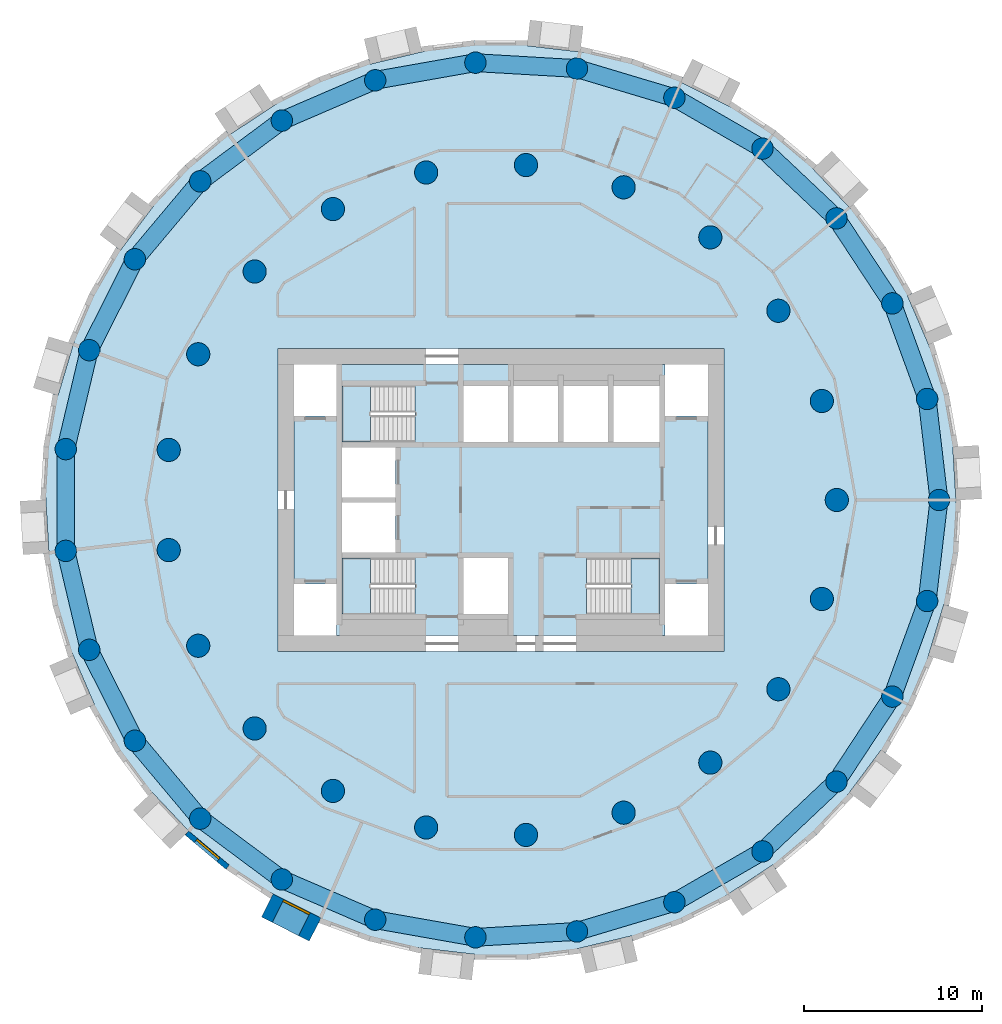
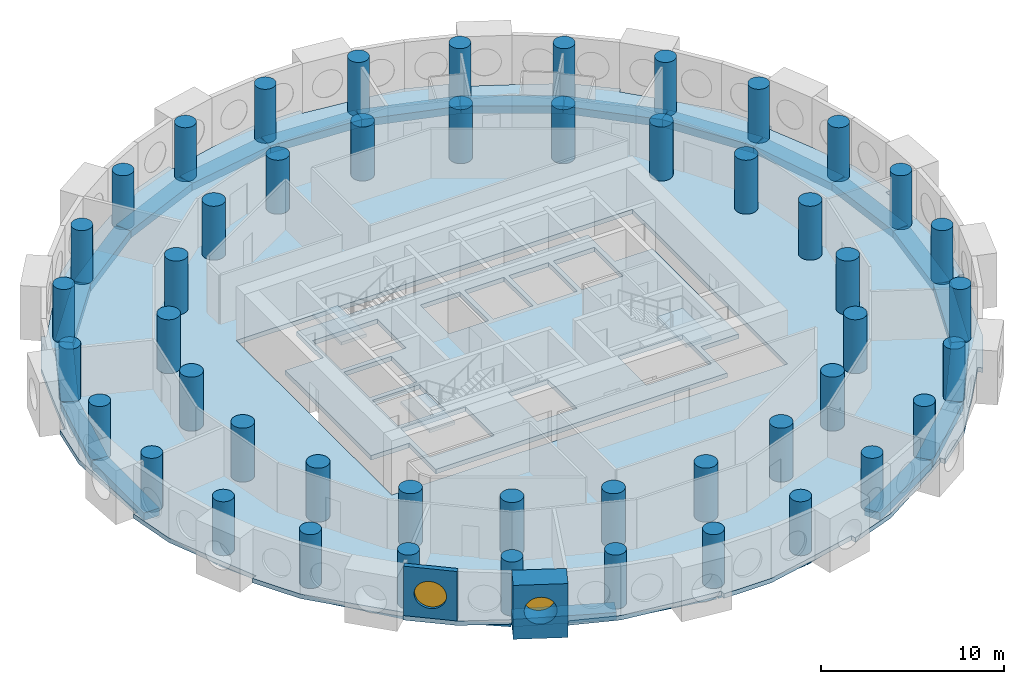
# One storey, part 1 of 9: 48 columns, 27 beams, 5 slabs, 2 walls, 2 windows, 2 openings, 3 elements without a shape of their own.
"""IFC4 building model written with IfcOpenShell, lengths in metres."""

from ifc_helpers import new_model, si_unit, direction, frame, frame_2d, origin, origin_2d, place, context, subcontext, project, spatial, polyline, rectangle, circle, outline, extrude, material, layer, layer_set, material_profile, profile_set, type_object, element, fill, aggregate, save


model = new_model("IFC4")

# Units and contexts
model_context = context("Model", 3, precision=1e-05, world=origin(), true_north=direction((0.0, 1.0)))
body_context = subcontext(model_context, "Body", "Model", "MODEL_VIEW")
ifc_project = project(units=[si_unit("LENGTHUNIT", "METRE"), si_unit("AREAUNIT", "SQUARE_METRE"), si_unit("VOLUMEUNIT", "CUBIC_METRE"), si_unit("PLANEANGLEUNIT", "RADIAN"), si_unit("MASSUNIT", "GRAM", prefix="KILO")], contexts=[model_context])

# Site, building, storey
site_placement = place(None, origin())
site = spatial("IfcSite", under=ifc_project, at=site_placement, CompositionType="ELEMENT")
building_placement = place(site_placement, origin())
building = spatial("IfcBuilding", under=site, at=building_placement, Name="Tracery Tower", CompositionType="ELEMENT")
storey_placement = place(building_placement, frame((0.0, 0.0, 147.60009765625)))
storey = spatial("IfcBuildingStorey", under=building, at=storey_placement, Name="L37", CompositionType="ELEMENT", Elevation=147.60009765625)

# Columns
ifc_material_1 = material(Name="Concrete C50/60", Category="concrete")
ifc_material_profile_1 = material_profile(ifc_material_1, circle(Radius=0.60009765625, at=origin_2d()), Name="RC D1200")
ifc_profile_set_1 = profile_set([ifc_material_profile_1], Name="Concrete C50/60")
column_type_1 = type_object("IfcColumnType", Name="Ring 1 column 1200", PredefinedType="COLUMN", material=ifc_profile_set_1)
for number, where, z_axis, x_axis, name in (
    (1, (24.547607421875, 0.0, 0.0), (0.0, 0.0, 1.0), (1.0, 0.0, 0.0), "Ring 1 column 00 at L37"),
    (2, (23.885986328125, 5.6611328125, 0.0), (0.0, 0.0, 1.0), (1.0, 0.0, 0.0), "Ring 1 column 01 at L37"),
    (3, (21.9365234375, 11.01708984375, 0.0), (0.0, 0.0, 1.0), (1.0, 0.0, 0.0), "Ring 1 column 02 at L37"),
    (4, (18.8046875, 15.779052734375, 0.0), (0.0, 0.0, 1.0), (1.0, 0.0, 0.0), "Ring 1 column 03 at L37"),
    (5, (14.658935546875, 19.690185546875, 0.0), (0.0, 0.0, 1.0), (1.0, 0.0, 0.0), "Ring 1 column 04 at L37"),
    (6, (9.722900390625, 22.5400390625, 0.0), (0.0, 0.0, 1.0), (1.0, 0.0, 0.0), "Ring 1 column 05 at L37"),
    (7, (4.2626953125, 24.1748046875, 0.0), (0.0, 0.0, 1.0), (1.0, 0.0, 0.0), "Ring 1 column 06 at L37"),
    (8, (-1.42724609375, 24.506103515625, 0.0), (0.0, 0.0, 1.0), (1.0, 0.0, 0.0), "Ring 1 column 07 at L37"),
    (9, (-7.040283203125, 23.516357421875, 0.0), (0.0, 0.0, 1.0), (1.0, 0.0, 0.0), "Ring 1 column 08 at L37"),
    (10, (-12.273681640625, 21.2587890625, 0.0), (0.0, 0.0, 1.0), (1.0, 0.0, 0.0), "Ring 1 column 09 at L37"),
    (11, (-16.845703125, 17.855224609375, 0.0), (0.0, 0.0, 1.0), (1.0, 0.0, 0.0), "Ring 1 column 10 at L37"),
    (12, (-20.50927734375, 13.4892578125, 0.0), (0.0, 0.0, 1.0), (1.0, 0.0, 0.0), "Ring 1 column 11 at L37"),
    (13, (-23.0673828125, 8.395751953125, 0.0), (0.0, 0.0, 1.0), (1.0, 0.0, 0.0), "Ring 1 column 12 at L37"),
    (14, (-24.381591796875, 2.849853515625, 0.0), (0.0, 0.0, 1.0), (1.0, 0.0, 0.0), "Ring 1 column 13 at L37"),
    (15, (-24.381591796875, -2.849853515625, 0.0), (0.0, 0.0, 1.0), (1.0, 0.0, 0.0), "Ring 1 column 14 at L37"),
    (16, (-23.0673828125, -8.395751953125, 0.0), (0.0, 0.0, 1.0), (1.0, 0.0, 0.0), "Ring 1 column 15 at L37"),
    (17, (-20.50927734375, -13.4892578125, 0.0), (0.0, 0.0, 1.0), (1.0, 0.0, 0.0), "Ring 1 column 16 at L37"),
    (18, (-16.845703125, -17.85546875, 0.0), (0.0, 0.0, 1.0), (1.0, 0.0, 0.0), "Ring 1 column 17 at L37"),
    (19, (-12.27392578125, -21.2587890625, 0.0), (0.0, 0.0, 1.0), (1.0, 0.0, 0.0), "Ring 1 column 18 at L37"),
    (20, (-7.040283203125, -23.516357421875, 0.0), (0.0, 0.0, 1.0), (1.0, 0.0, 0.0), "Ring 1 column 19 at L37"),
    (21, (-1.42724609375, -24.506103515625, 0.0), (0.0, 0.0, 1.0), (1.0, 0.0, 0.0), "Ring 1 column 20 at L37"),
    (22, (4.2626953125, -24.1748046875, 0.0), (0.0, 0.0, 1.0), (1.0, 0.0, 0.0), "Ring 1 column 21 at L37"),
    (23, (9.722900390625, -22.5400390625, 0.0), (0.0, 0.0, 1.0), (1.0, 0.0, 0.0), "Ring 1 column 22 at L37"),
    (24, (14.658935546875, -19.690185546875, 0.0), (0.0, 0.0, 1.0), (1.0, 0.0, 0.0), "Ring 1 column 23 at L37"),
    (25, (18.8046875, -15.779052734375, 0.0), (0.0, 0.0, 1.0), (1.0, 0.0, 0.0), "Ring 1 column 24 at L37"),
    (26, (21.9365234375, -11.01708984375, 0.0), (0.0, 0.0, 1.0), (1.0, 0.0, 0.0), "Ring 1 column 25 at L37"),
    (27, (23.885986328125, -5.6611328125, 0.0), (0.0, 0.0, 1.0), (1.0, 0.0, 0.0), "Ring 1 column 26 at L37"),
):
    element("IfcColumn", number, at=place(storey_placement, frame(where, z_axis=z_axis, x_axis=x_axis)), inside=storey, type_object=column_type_1, Name=name, PredefinedType="COLUMN", context=body_context, shape_type="SweptSolid", body=[
        extrude(circle(Radius=0.60009765625, at=origin_2d()), origin(), (0.0, 0.0, 1.0), 3.599853515625),
    ])
ifc_material_2 = material(Name="Concrete C50/60", Category="concrete")
ifc_material_profile_2 = material_profile(ifc_material_2, circle(Radius=0.64990234375, at=origin_2d()), Name="RC D1300")
ifc_profile_set_2 = profile_set([ifc_material_profile_2], Name="Concrete C50/60")
column_type_2 = type_object("IfcColumnType", Name="Ring 2 column 1300", PredefinedType="COLUMN", material=ifc_profile_set_2)
for number, where, z_axis, x_axis, name in (
    (28, (18.822265625, 0.0, 0.0), (0.0, 0.0, 1.0), (1.0, 0.0, 0.0), "Ring 2 column 00 at L37"),
    (29, (17.986083984375, 5.5478515625, 0.0), (0.0, 0.0, 1.0), (1.0, 0.0, 0.0), "Ring 2 column 01 at L37"),
    (30, (15.551513671875, 10.602783203125, 0.0), (0.0, 0.0, 1.0), (1.0, 0.0, 0.0), "Ring 2 column 02 at L37"),
    (31, (11.7353515625, 14.7158203125, 0.0), (0.0, 0.0, 1.0), (1.0, 0.0, 0.0), "Ring 2 column 03 at L37"),
    (32, (6.87646484375, 17.52099609375, 0.0), (0.0, 0.0, 1.0), (1.0, 0.0, 0.0), "Ring 2 column 04 at L37"),
    (33, (1.406494140625, 18.76953125, 0.0), (0.0, 0.0, 1.0), (1.0, 0.0, 0.0), "Ring 2 column 05 at L37"),
    (34, (-4.188232421875, 18.350341796875, 0.0), (0.0, 0.0, 1.0), (1.0, 0.0, 0.0), "Ring 2 column 06 at L37"),
    (35, (-9.4111328125, 16.300537109375, 0.0), (0.0, 0.0, 1.0), (1.0, 0.0, 0.0), "Ring 2 column 07 at L37"),
    (36, (-13.797607421875, 12.802490234375, 0.0), (0.0, 0.0, 1.0), (1.0, 0.0, 0.0), "Ring 2 column 08 at L37"),
    (37, (-16.958251953125, 8.16650390625, 0.0), (0.0, 0.0, 1.0), (1.0, 0.0, 0.0), "Ring 2 column 09 at L37"),
    (38, (-18.612060546875, 2.805419921875, 0.0), (0.0, 0.0, 1.0), (1.0, 0.0, 0.0), "Ring 2 column 10 at L37"),
    (39, (-18.612060546875, -2.805419921875, 0.0), (0.0, 0.0, 1.0), (1.0, 0.0, 0.0), "Ring 2 column 11 at L37"),
    (40, (-16.958251953125, -8.166748046875, 0.0), (0.0, 0.0, 1.0), (1.0, 0.0, 0.0), "Ring 2 column 12 at L37"),
    (41, (-13.797607421875, -12.80224609375, 0.0), (0.0, 0.0, 1.0), (1.0, 0.0, 0.0), "Ring 2 column 13 at L37"),
    (42, (-9.4111328125, -16.300537109375, 0.0), (0.0, 0.0, 1.0), (1.0, 0.0, 0.0), "Ring 2 column 14 at L37"),
    (43, (-4.188232421875, -18.350341796875, 0.0), (0.0, 0.0, 1.0), (1.0, 0.0, 0.0), "Ring 2 column 15 at L37"),
    (44, (1.406494140625, -18.76953125, 0.0), (0.0, 0.0, 1.0), (1.0, 0.0, 0.0), "Ring 2 column 16 at L37"),
    (45, (6.87646484375, -17.52099609375, 0.0), (0.0, 0.0, 1.0), (1.0, 0.0, 0.0), "Ring 2 column 17 at L37"),
    (46, (11.7353515625, -14.7158203125, 0.0), (0.0, 0.0, 1.0), (1.0, 0.0, 0.0), "Ring 2 column 18 at L37"),
    (47, (15.551513671875, -10.602783203125, 0.0), (0.0, 0.0, 1.0), (1.0, 0.0, 0.0), "Ring 2 column 19 at L37"),
    (48, (17.986083984375, -5.5478515625, 0.0), (0.0, 0.0, 1.0), (1.0, 0.0, 0.0), "Ring 2 column 20 at L37"),
):
    element("IfcColumn", number, at=place(storey_placement, frame(where, z_axis=z_axis, x_axis=x_axis)), inside=storey, type_object=column_type_2, Name=name, PredefinedType="COLUMN", context=body_context, shape_type="SweptSolid", body=[
        extrude(circle(Radius=0.64990234375, at=origin_2d()), origin(), (0.0, 0.0, 1.0), 3.599853515625),
    ])

# Beams
ifc_material_3 = material(Name="Concrete C50/60", Category="concrete")
ifc_material_profile_3 = material_profile(ifc_material_3, rectangle(XDim=1.0, YDim=0.5, at=origin_2d()), Name="RC 1000x500")
ifc_profile_set_3 = profile_set([ifc_material_profile_3], Name="Concrete C50/60")
beam_type = type_object("IfcBeamType", Name="Perimeter band beam 1000x500", PredefinedType="BEAM", material=ifc_profile_set_3)
for number, where, z_axis, x_axis, name in (
    (49, (24.547607421875, 0.0, -0.550048828125), (-0.116080723252, 0.993239782575, 0.0), (-0.993239782575, -0.116080723252, 0.0), "Perimeter beam 1.00 under L37"),
    (50, (23.885986328125, 5.6611328125, -0.550048828125), (-0.342028502279, 0.939689578334, 0.0), (-0.939689578334, -0.342028502279, 0.0), "Perimeter beam 1.01 under L37"),
):
    element("IfcBeam", number, at=place(storey_placement, frame(where, z_axis=z_axis, x_axis=x_axis)), inside=storey, type_object=beam_type, Name=name, PredefinedType="BEAM", context=body_context, shape_type="SweptSolid", body=[
        extrude(rectangle(XDim=1.0, YDim=0.5, at=origin_2d()), origin(), (0.0, 0.0, 1.0), 5.69970703125),
    ])
for number, where, z_axis, x_axis, name in (
    (51, (21.9365234375, 11.01708984375, -0.550048828125), (-0.549489832182, 0.835500403548, 0.0), (-0.835500403548, -0.549489832182, 0.0), "Perimeter beam 1.02 under L37"),
    (52, (18.8046875, 15.779052734375, -0.550048828125), (-0.727389618263, 0.686224703172, 0.0), (-0.686224703172, -0.727389618263, 0.0), "Perimeter beam 1.03 under L37"),
):
    element("IfcBeam", number, at=place(storey_placement, frame(where, z_axis=z_axis, x_axis=x_axis)), inside=storey, type_object=beam_type, Name=name, PredefinedType="BEAM", context=body_context, shape_type="SweptSolid", body=[
        extrude(rectangle(XDim=1.0, YDim=0.5, at=origin_2d()), origin(), (0.0, 0.0, 1.0), 5.699462890625),
    ])
for number, where, z_axis, x_axis, name in (
    (53, (14.658935546875, 19.690185546875, -0.550048828125), (-0.866022950691, 0.500004248858, 0.0), (-0.500004248858, -0.866022950691, 0.0), "Perimeter beam 1.04 under L37"),
    (54, (9.722900390625, 22.5400390625, -0.550048828125), (-0.957985292634, 0.28681732705, 0.0), (-0.28681732705, -0.957985292634, 0.0), "Perimeter beam 1.05 under L37"),
):
    element("IfcBeam", number, at=place(storey_placement, frame(where, z_axis=z_axis, x_axis=x_axis)), inside=storey, type_object=beam_type, Name=name, PredefinedType="BEAM", context=body_context, shape_type="SweptSolid", body=[
        extrude(rectangle(XDim=1.0, YDim=0.5, at=origin_2d()), origin(), (0.0, 0.0, 1.0), 5.69970703125),
    ])
beam_1_placement = place(storey_placement, frame((4.2626953125, 24.1748046875, -0.550048828125), z_axis=(-0.99830920221, 0.058126902403, 0.0), x_axis=(-0.058126902403, -0.99830920221, 0.0)))
element("IfcBeam", 55, at=beam_1_placement, inside=storey, type_object=beam_type, Name="Perimeter beam 1.06 under L37", PredefinedType="BEAM", context=body_context, shape_type="SweptSolid", body=[
    extrude(rectangle(XDim=1.0, YDim=0.5, at=origin_2d()), origin(), (0.0, 0.0, 1.0), 5.699462890625),
])
beam_2_placement = place(storey_placement, frame((-1.42724609375, 24.506103515625, -0.550048828125), z_axis=(-0.984807266719, -0.173650935552, 0.0), x_axis=(0.173650935552, -0.984807266719, 0.0)))
element("IfcBeam", 56, at=beam_2_placement, inside=storey, type_object=beam_type, Name="Perimeter beam 1.07 under L37", PredefinedType="BEAM", context=body_context, shape_type="SweptSolid", body=[
    extrude(rectangle(XDim=1.0, YDim=0.5, at=origin_2d()), origin(), (0.0, 0.0, 1.0), 5.69970703125),
])
beam_3_placement = place(storey_placement, frame((-7.040283203125, 23.516357421875, -0.550048828125), z_axis=(-0.918209685525, -0.396094652083, 0.0), x_axis=(0.396094652083, -0.918209685525, 0.0)))
element("IfcBeam", 57, at=beam_3_placement, inside=storey, type_object=beam_type, Name="Perimeter beam 1.08 under L37", PredefinedType="BEAM", context=body_context, shape_type="SweptSolid", body=[
    extrude(rectangle(XDim=1.0, YDim=0.5, at=origin_2d()), origin(), (0.0, 0.0, 1.0), 5.699462890625),
])
beam_4_placement = place(storey_placement, frame((-12.273681640625, 21.2587890625, -0.550048828125), z_axis=(-0.802138271299, -0.59713833717, 0.0), x_axis=(0.59713833717, -0.802138271299, 0.0)))
element("IfcBeam", 58, at=beam_4_placement, inside=storey, type_object=beam_type, Name="Perimeter beam 1.09 under L37", PredefinedType="BEAM", context=body_context, shape_type="SweptSolid", body=[
    extrude(rectangle(XDim=1.0, YDim=0.5, at=origin_2d()), origin(), (0.0, 0.0, 1.0), 5.69970703125),
])
beam_5_placement = place(storey_placement, frame((-16.845703125, 17.855224609375, -0.550048828125), z_axis=(-0.642797194343, -0.766036400535, 0.0), x_axis=(0.766036400535, -0.642797194343, 0.0)))
element("IfcBeam", 59, at=beam_5_placement, inside=storey, type_object=beam_type, Name="Perimeter beam 1.10 under L37", PredefinedType="BEAM", context=body_context, shape_type="SweptSolid", body=[
    extrude(rectangle(XDim=1.0, YDim=0.5, at=origin_2d()), origin(), (0.0, 0.0, 1.0), 5.699462890625),
])
beam_6_placement = place(storey_placement, frame((-20.50927734375, 13.4892578125, -0.550048828125), z_axis=(-0.448806280933, -0.893629074166, 0.0), x_axis=(0.893629074166, -0.448806280933, 0.0)))
element("IfcBeam", 60, at=beam_6_placement, inside=storey, type_object=beam_type, Name="Perimeter beam 1.11 under L37", PredefinedType="BEAM", context=body_context, shape_type="SweptSolid", body=[
    extrude(rectangle(XDim=1.0, YDim=0.5, at=origin_2d()), origin(), (0.0, 0.0, 1.0), 5.69970703125),
])
beam_7_placement = place(storey_placement, frame((-23.0673828125, 8.395751953125, -0.550048828125), z_axis=(-0.230583793756, -0.973052472407, 0.0), x_axis=(0.973052472407, -0.230583793756, 0.0)))
element("IfcBeam", 61, at=beam_7_placement, inside=storey, type_object=beam_type, Name="Perimeter beam 1.12 under L37", PredefinedType="BEAM", context=body_context, shape_type="SweptSolid", body=[
    extrude(rectangle(XDim=1.0, YDim=0.5, at=origin_2d()), origin(), (0.0, 0.0, 1.0), 5.699462890625),
])
beam_8_placement = place(storey_placement, frame((-24.381591796875, 2.849853515625, -0.550048828125), z_axis=(0.0, -1.0, 0.0), x_axis=(1.0, 0.0, 0.0)))
element("IfcBeam", 62, at=beam_8_placement, inside=storey, type_object=beam_type, Name="Perimeter beam 1.13 under L37", PredefinedType="BEAM", context=body_context, shape_type="SweptSolid", body=[
    extrude(rectangle(XDim=1.0, YDim=0.5, at=origin_2d()), origin(), (0.0, 0.0, 1.0), 5.69970703125),
])
beam_9_placement = place(storey_placement, frame((-24.381591796875, -2.849853515625, -0.550048828125), z_axis=(0.230583793756, -0.973052472407, 0.0), x_axis=(0.973052472407, 0.230583793756, 0.0)))
element("IfcBeam", 63, at=beam_9_placement, inside=storey, type_object=beam_type, Name="Perimeter beam 1.14 under L37", PredefinedType="BEAM", context=body_context, shape_type="SweptSolid", body=[
    extrude(rectangle(XDim=1.0, YDim=0.5, at=origin_2d()), origin(), (0.0, 0.0, 1.0), 5.699462890625),
])
for number, where, z_axis, x_axis, name in (
    (64, (-23.0673828125, -8.395751953125, -0.550048828125), (0.448806280933, -0.893629074166, 0.0), (0.893629074166, 0.448806280933, 0.0), "Perimeter beam 1.15 under L37"),
    (65, (-20.50927734375, -13.4892578125, -0.550048828125), (0.64277610208, -0.766054099, 0.0), (0.766054099, 0.64277610208, 0.0), "Perimeter beam 1.16 under L37"),
):
    element("IfcBeam", number, at=place(storey_placement, frame(where, z_axis=z_axis, x_axis=x_axis)), inside=storey, type_object=beam_type, Name=name, PredefinedType="BEAM", context=body_context, shape_type="SweptSolid", body=[
        extrude(rectangle(XDim=1.0, YDim=0.5, at=origin_2d()), origin(), (0.0, 0.0, 1.0), 5.69970703125),
    ])
beam_10_placement = place(storey_placement, frame((-16.845703125, -17.85546875, -0.550048828125), z_axis=(0.802143514942, -0.597131293298, 0.0), x_axis=(0.597131293298, 0.802143514942, 0.0)))
element("IfcBeam", 66, at=beam_10_placement, inside=storey, type_object=beam_type, Name="Perimeter beam 1.17 under L37", PredefinedType="BEAM", context=body_context, shape_type="SweptSolid", body=[
    extrude(rectangle(XDim=1.0, YDim=0.5, at=origin_2d()), origin(), (0.0, 0.0, 1.0), 5.699462890625),
])
for number, where, z_axis, x_axis, name in (
    (67, (-12.27392578125, -21.2587890625, -0.550048828125), (0.918216405543, -0.39607907366, 0.0), (0.39607907366, 0.918216405543, 0.0), "Perimeter beam 1.18 under L37"),
    (68, (-7.040283203125, -23.516357421875, -0.550048828125), (0.984807266719, -0.173650935552, 0.0), (0.173650935552, 0.984807266719, 0.0), "Perimeter beam 1.19 under L37"),
):
    element("IfcBeam", number, at=place(storey_placement, frame(where, z_axis=z_axis, x_axis=x_axis)), inside=storey, type_object=beam_type, Name=name, PredefinedType="BEAM", context=body_context, shape_type="SweptSolid", body=[
        extrude(rectangle(XDim=1.0, YDim=0.5, at=origin_2d()), origin(), (0.0, 0.0, 1.0), 5.69970703125),
    ])
beam_11_placement = place(storey_placement, frame((-1.42724609375, -24.506103515625, -0.550048828125), z_axis=(0.99830920221, 0.058126902403, 0.0), x_axis=(-0.058126902403, 0.99830920221, 0.0)))
element("IfcBeam", 69, at=beam_11_placement, inside=storey, type_object=beam_type, Name="Perimeter beam 1.20 under L37", PredefinedType="BEAM", context=body_context, shape_type="SweptSolid", body=[
    extrude(rectangle(XDim=1.0, YDim=0.5, at=origin_2d()), origin(), (0.0, 0.0, 1.0), 5.699462890625),
])
for number, where, z_axis, x_axis, name in (
    (70, (4.2626953125, -24.1748046875, -0.550048828125), (0.957985292634, 0.28681732705, 0.0), (-0.28681732705, 0.957985292634, 0.0), "Perimeter beam 1.21 under L37"),
    (71, (9.722900390625, -22.5400390625, -0.550048828125), (0.866022950691, 0.500004248858, 0.0), (-0.500004248858, 0.866022950691, 0.0), "Perimeter beam 1.22 under L37"),
):
    element("IfcBeam", number, at=place(storey_placement, frame(where, z_axis=z_axis, x_axis=x_axis)), inside=storey, type_object=beam_type, Name=name, PredefinedType="BEAM", context=body_context, shape_type="SweptSolid", body=[
        extrude(rectangle(XDim=1.0, YDim=0.5, at=origin_2d()), origin(), (0.0, 0.0, 1.0), 5.69970703125),
    ])
for number, where, z_axis, x_axis, name in (
    (72, (14.658935546875, -19.690185546875, -0.550048828125), (0.727389618263, 0.686224703172, 0.0), (-0.686224703172, 0.727389618263, 0.0), "Perimeter beam 1.23 under L37"),
    (73, (18.8046875, -15.779052734375, -0.550048828125), (0.549489832182, 0.835500403548, 0.0), (-0.835500403548, 0.549489832182, 0.0), "Perimeter beam 1.24 under L37"),
):
    element("IfcBeam", number, at=place(storey_placement, frame(where, z_axis=z_axis, x_axis=x_axis)), inside=storey, type_object=beam_type, Name=name, PredefinedType="BEAM", context=body_context, shape_type="SweptSolid", body=[
        extrude(rectangle(XDim=1.0, YDim=0.5, at=origin_2d()), origin(), (0.0, 0.0, 1.0), 5.699462890625),
    ])
for number, where, z_axis, x_axis, name in (
    (74, (21.9365234375, -11.01708984375, -0.550048828125), (0.342028502279, 0.939689578334, 0.0), (-0.939689578334, 0.342028502279, 0.0), "Perimeter beam 1.25 under L37"),
    (75, (23.885986328125, -5.6611328125, -0.550048828125), (0.116080723252, 0.993239782575, 0.0), (-0.993239782575, 0.116080723252, 0.0), "Perimeter beam 1.26 under L37"),
):
    element("IfcBeam", number, at=place(storey_placement, frame(where, z_axis=z_axis, x_axis=x_axis)), inside=storey, type_object=beam_type, Name=name, PredefinedType="BEAM", context=body_context, shape_type="SweptSolid", body=[
        extrude(rectangle(XDim=1.0, YDim=0.5, at=origin_2d()), origin(), (0.0, 0.0, 1.0), 5.69970703125),
    ])

# Slabs
ifc_material_4 = material(Name="Concrete C50/60", Category="concrete")
ifc_layer_1 = layer(ifc_material_4, 0.300048828125)
ifc_layer_set_1 = layer_set([ifc_layer_1], Name="Core floor slab 300 C50")
slab_type_1 = type_object("IfcSlabType", Name="Core floor slab 300 C50", PredefinedType="FLOOR", material=ifc_layer_set_1)
slab_1_placement = place(storey_placement, frame((0.0, 0.0, -0.300048828125)))
element("IfcSlab", 76, at=slab_1_placement, inside=storey, type_object=slab_type_1, Name="L37 core floor 1", PredefinedType="FLOOR", context=body_context, shape_type="SweptSolid", body=[
    extrude(outline(polyline([(-9.199951171875, 7.60009765625), (9.199951171875, 7.60009765625), (9.199951171875, 4.699951171875), (11.60009765625, 4.699951171875), (11.60009765625, -4.699951171875), (9.199951171875, -4.699951171875), (9.199951171875, -7.60009765625), (-9.199951171875, -7.60009765625), (-9.199951171875, -4.699951171875), (-11.60009765625, -4.699951171875), (-11.60009765625, 4.699951171875), (-9.199951171875, 4.699951171875), (-9.199951171875, 7.60009765625)]), holes=[polyline([(4.800537109375, -6.39990234375), (8.89990234375, -6.39990234375), (8.89990234375, -3.25), (4.800537109375, -3.25), (4.800537109375, -6.39990234375)]), polyline([(8.89990234375, 3.25), (8.89990234375, 6.39990234375), (6.300048828125, 6.39990234375), (6.300048828125, 3.25), (8.89990234375, 3.25)]), polyline([(6.0, 3.25), (6.0, 6.39990234375), (3.5, 6.39990234375), (3.5, 3.25), (6.0, 3.25)]), polyline([(3.199951171875, 3.25), (3.199951171875, 6.39990234375), (0.699951171875, 6.39990234375), (0.699951171875, 3.25), (3.199951171875, 3.25)]), polyline([(-2.10009765625, 3.25), (0.39990234375, 3.25), (0.39990234375, 6.39990234375), (-2.10009765625, 6.39990234375), (-2.10009765625, 3.25)]), polyline([(0.39990234375, -6.39990234375), (0.39990234375, -3.25), (-2.10009765625, -3.25), (-2.10009765625, -6.39990234375), (0.39990234375, -6.39990234375)]), polyline([(-4.800537109375, -3.25), (-8.89990234375, -3.25), (-8.89990234375, -6.39990234375), (-4.800537109375, -6.39990234375), (-4.800537109375, -3.25)]), polyline([(-4.800537109375, 6.39990234375), (-8.89990234375, 6.39990234375), (-8.89990234375, 3.25), (-4.800537109375, 3.25), (-4.800537109375, 6.39990234375)]), polyline([(-5.89990234375, -2.949951171875), (-5.89990234375, -0.14990234375), (-8.89990234375, -0.14990234375), (-8.89990234375, -2.949951171875), (-5.89990234375, -2.949951171875)]), polyline([(-5.89990234375, 0.14990234375), (-5.89990234375, 2.949951171875), (-8.89990234375, 2.949951171875), (-8.89990234375, 0.14990234375), (-5.89990234375, 0.14990234375)])]), origin(), (0.0, 0.0, 1.0), 0.300048828125),
])
ifc_material_5 = material(Name="Concrete C40/50", Category="concrete")
ifc_layer_2 = layer(ifc_material_5, 0.300048828125)
ifc_layer_set_2 = layer_set([ifc_layer_2], Name="Floor slab 300")
slab_type_2 = type_object("IfcSlabType", Name="Floor slab 300", PredefinedType="FLOOR", material=ifc_layer_set_2)
slab_2_placement = place(storey_placement, frame((0.0, 0.0, -0.300048828125)))
element("IfcSlab", 77, at=slab_2_placement, inside=storey, type_object=slab_type_2, Name="Floor slab L37", PredefinedType="FLOOR", context=body_context, shape_type="SweptSolid", body=[
    extrude(outline(polyline([(22.78515625, 11.443115234375), (22.7783203125, 11.459228515625), (23.0537109375, 11.577880859375), (21.5537109375, 14.176025390625), (19.533203125, 16.387939453125), (18.208740234375, 17.791748046875), (17.497314453125, 18.5458984375), (17.497314453125, 18.5458984375), (17.485107421875, 18.55859375), (17.70361328125, 18.7646484375), (15.4052734375, 20.69287109375), (12.74853515625, 22.081298828125), (10.098876953125, 23.411865234375), (10.098876953125, 23.411865234375), (10.083251953125, 23.419921875), (10.217529296875, 23.68701171875), (10.218017578125, 23.68798828125), (7.39892578125, 24.7138671875), (4.427490234375, 25.10986328125), (3.055908203125, 25.27001953125), (1.465087890625, 25.4560546875), (1.5, 25.75390625), (1.5, 25.754150390625), (-1.5, 25.754150390625), (-4.427490234375, 25.10986328125), (-7.312744140625, 24.426025390625), (-7.312744140625, 24.426025390625), (-7.32958984375, 24.422119140625), (-7.398681640625, 24.713134765625), (-7.39892578125, 24.7138671875), (-10.218017578125, 23.68798828125), (-12.74853515625, 22.081298828125), (-13.4443359375, 21.623779296875), (-15.240478515625, 20.4423828125), (-15.4052734375, 20.69287109375), (-15.4052734375, 20.69287109375), (-17.70361328125, 18.7646484375), (-19.531005859375, 16.390625), (-20.657958984375, 14.876953125), (-21.302490234375, 14.010986328125), (-21.302490234375, 14.010986328125), (-21.31298828125, 13.996826171875), (-21.5537109375, 14.176025390625), (-23.0537109375, 11.577880859375), (-23.95947265625, 8.720703125), (-24.694580078125, 6.265380859375), (-24.81494140625, 5.86328125), (-25.102294921875, 5.949462890625), (-25.623291015625, 2.994873046875), (-25.497314453125, 0.00048828125), (-25.32373046875, -2.9775390625), (-25.623291015625, -2.994873046875), (-25.102294921875, -5.949462890625), (-23.95947265625, -8.720703125), (-22.78515625, -11.443115234375), (-22.78515625, -11.443115234375), (-22.7783203125, -11.459228515625), (-23.0537109375, -11.577880859375), (-21.5537109375, -14.176025390625), (-19.533203125, -16.387939453125), (-18.208740234375, -17.791748046875), (-17.497314453125, -18.5458984375), (-17.497314453125, -18.5458984375), (-17.485107421875, -18.55859375), (-17.70361328125, -18.7646484375), (-15.4052734375, -20.69287109375), (-12.74853515625, -22.081298828125), (-10.098876953125, -23.411865234375), (-10.098876953125, -23.411865234375), (-10.083251953125, -23.419921875), (-10.217529296875, -23.68701171875), (-10.218017578125, -23.68798828125), (-7.39892578125, -24.7138671875), (-4.427490234375, -25.10986328125), (-3.055908203125, -25.27001953125), (-1.465087890625, -25.4560546875), (-1.5, -25.75390625), (-1.5, -25.754150390625), (1.5, -25.754150390625), (4.427490234375, -25.10986328125), (7.312744140625, -24.426025390625), (7.312744140625, -24.426025390625), (7.32958984375, -24.422119140625), (7.398681640625, -24.713134765625), (7.39892578125, -24.7138671875), (10.218017578125, -23.68798828125), (12.74853515625, -22.081298828125), (13.4443359375, -21.623779296875), (15.240478515625, -20.4423828125), (15.4052734375, -20.69287109375), (15.4052734375, -20.69287109375), (17.70361328125, -18.7646484375), (19.531005859375, -16.390625), (20.657958984375, -14.876953125), (21.302490234375, -14.010986328125), (21.302490234375, -14.010986328125), (21.31298828125, -13.996826171875), (21.5537109375, -14.176025390625), (23.0537109375, -11.577880859375), (23.95947265625, -8.720703125), (24.694580078125, -6.265380859375), (24.81494140625, -5.86328125), (25.102294921875, -5.949462890625), (25.623291015625, -2.994873046875), (25.497314453125, -0.00048828125), (25.32373046875, 2.9775390625), (25.623291015625, 2.994873046875), (25.102294921875, 5.949462890625), (23.95947265625, 8.720703125), (22.78515625, 11.443115234375), (22.78515625, 11.443115234375)]), holes=[polyline([(-12.5, -8.5), (12.5, -8.5), (12.5, 8.5), (-12.5, 8.5), (-12.5, -8.5)])]), origin(), (0.0, 0.0, 1.0), 0.300048828125),
])

# Stair, slab
ifc_material_6 = material(Name="Concrete C32/40", Category="concrete")
stair_type = type_object("IfcStairType", Name="Core stair 22 risers", PredefinedType="HALF_TURN_STAIR", material=ifc_material_6)
stair_1_placement = place(storey_placement, origin())
stair_1 = element("IfcStair", 78, at=stair_1_placement, inside=storey, type_object=stair_type, Name="L37 stair ST1", PredefinedType="HALF_TURN_STAIR")
ifc_material_7 = material(Name="Concrete C32/40", Category="concrete")
ifc_layer_3 = layer(ifc_material_7, 0.199951171875)
ifc_layer_set_3 = layer_set([ifc_layer_3], Name="Stair landing slab 200")
slab_type_3 = type_object("IfcSlabType", Name="Stair landing slab 200", PredefinedType="LANDING", material=ifc_layer_set_3)
slab_3_placement = place(storey_placement, frame((0.0, 0.0, 1.599853515625)))
slab_3 = element("IfcSlab", 79, at=slab_3_placement, type_object=slab_type_3, Name="ST1 landing 1", PredefinedType="LANDING", context=body_context, shape_type="SweptSolid", body=[
    extrude(outline(polyline([(-7.29931640625, -3.25), (-8.89990234375, -3.25), (-8.89990234375, -6.39990234375), (-7.29931640625, -6.39990234375), (-7.29931640625, -3.25)])), origin(), (0.0, 0.0, 1.0), 0.199951171875),
])
aggregate(stair_1, [slab_3])

stair_2_placement = place(storey_placement, origin())
stair_2 = element("IfcStair", 80, at=stair_2_placement, inside=storey, type_object=stair_type, Name="L37 stair ST3", PredefinedType="HALF_TURN_STAIR")
slab_4_placement = place(storey_placement, frame((0.0, 0.0, 1.599853515625)))
slab_4 = element("IfcSlab", 81, at=slab_4_placement, type_object=slab_type_3, Name="ST3 landing 1", PredefinedType="LANDING", context=body_context, shape_type="SweptSolid", body=[
    extrude(outline(polyline([(-7.29931640625, 6.39990234375), (-8.89990234375, 6.39990234375), (-8.89990234375, 3.25), (-7.29931640625, 3.25), (-7.29931640625, 6.39990234375)])), origin(), (0.0, 0.0, 1.0), 0.199951171875),
])
aggregate(stair_2, [slab_4])

stair_3_placement = place(storey_placement, origin())
stair_3 = element("IfcStair", 82, at=stair_3_placement, inside=storey, type_object=stair_type, Name="L37 stair ST2", PredefinedType="HALF_TURN_STAIR")
slab_5_placement = place(storey_placement, frame((0.0, 0.0, 1.599853515625)))
slab_5 = element("IfcSlab", 83, at=slab_5_placement, type_object=slab_type_3, Name="ST2 landing 1", PredefinedType="LANDING", context=body_context, shape_type="SweptSolid", body=[
    extrude(outline(polyline([(7.29931640625, -6.39990234375), (8.89990234375, -6.39990234375), (8.89990234375, -3.25), (7.29931640625, -3.25), (7.29931640625, -6.39990234375)])), origin(), (0.0, 0.0, 1.0), 0.199951171875),
])
aggregate(stair_3, [slab_5])

# Wall, opening, window
ifc_material_8 = material(Name="Precast concrete C50/60", Category="concrete")
ifc_layer_4 = layer(ifc_material_8, 1.449951171875)
ifc_layer_set_4 = layer_set([ifc_layer_4], Name="Deep-set bay unit 3000 x 3600, slab edge 300")
wall_type_1 = type_object("IfcWallType", Name="Deep-set bay unit 3000 x 3600, slab edge 300", PredefinedType="ELEMENTEDWALL", material=ifc_layer_set_4)
wall_1_placement = place(storey_placement, frame((-13.089599609375, -22.72119140625, -0.300048828125), z_axis=(0.0, 0.0, 1.0), x_axis=(0.893628249713, -0.448807922518, 0.0)))
wall_1 = element("IfcWall", 84, at=wall_1_placement, inside=storey, type_object=wall_type_1, Name="Deep-set bay unit 37 at L37", PredefinedType="ELEMENTEDWALL", context=body_context, shape_type="SweptSolid", body=[
    extrude(rectangle(XDim=3.0, YDim=1.449951171875, at=frame_2d((1.5, 0.0))), origin(), (0.0, 0.0, 1.0), 3.599853515625),
])
opening_1_placement = place(wall_1_placement, frame((1.5, 0.0, 1.85009765625)))
opening_1 = element("IfcOpeningElement", 85, at=opening_1_placement, cuts=wall_1, Name="Opening WN1", PredefinedType="OPENING", context=body_context, shape_type="SweptSolid", body=[
    extrude(circle(Radius=0.9000244140625, at=origin_2d()), frame((0.0, 0.73486328125, 0.0), z_axis=(0.0, -1.0, 0.0), x_axis=(1.0, 0.0, 0.0)), (0.0, 0.0, 1.0), 1.469970703125),
])
ifc_material_9 = material(Name="Aluminium frame with tinted double glazing", Category="aluminium")
window_type = type_object("IfcWindowType", Name="Round window 1800", PartitioningType="SINGLE_PANEL", PredefinedType="WINDOW", material=ifc_material_9)
window_1_placement = place(opening_1_placement, origin())
window_1 = element("IfcWindow", 86, at=window_1_placement, inside=storey, type_object=window_type, Name="Round window 37 at L37", OverallHeight=1.800048828125, OverallWidth=1.800048828125, PartitioningType="SINGLE_PANEL", PredefinedType="WINDOW", context=body_context, shape_type="SweptSolid", body=[
    extrude(circle(Radius=0.9000244140625, at=origin_2d()), frame((0.0, 0.69482421875, 0.0), z_axis=(0.0, -1.0, 0.0), x_axis=(1.0, 0.0, 0.0)), (0.0, 0.0, 1.0), 0.10009765625),
])
fill(opening_1, window_1)

ifc_material_10 = material(Name="Precast concrete C50/60", Category="concrete")
ifc_layer_5 = layer(ifc_material_10, 0.300048828125)
ifc_layer_set_5 = layer_set([ifc_layer_5], Name="Facade panel 3000 x 3300")
wall_type_2 = type_object("IfcWallType", Name="Facade panel 3000 x 3300", PredefinedType="SOLIDWALL", material=ifc_layer_set_5)
wall_2_placement = place(storey_placement, frame((-17.593017578125, -18.661376953125, 0.0), z_axis=(0.0, 0.0, 1.0), x_axis=(0.766008913364, -0.642829950023, 0.0)))
wall_2 = element("IfcWall", 87, at=wall_2_placement, inside=storey, type_object=wall_type_2, Name="Facade panel 35 at L37", PredefinedType="SOLIDWALL", context=body_context, shape_type="SweptSolid", body=[
    extrude(rectangle(XDim=2.972900390625, YDim=0.300048828125, at=frame_2d((1.486328125, 0.0))), origin(), (0.0, 0.0, 1.0), 3.2998046875),
])
opening_2_placement = place(wall_2_placement, frame((1.486328125, 0.0, 1.5498046875)))
opening_2 = element("IfcOpeningElement", 88, at=opening_2_placement, cuts=wall_2, Name="Opening WN1", PredefinedType="OPENING", context=body_context, shape_type="SweptSolid", body=[
    extrude(circle(Radius=0.9000244140625, at=origin_2d()), frame((0.0, 0.159912109375, 0.0), z_axis=(0.0, -1.0, 0.0), x_axis=(1.0, 0.0, 0.0)), (0.0, 0.0, 1.0), 0.320068359375),
])
window_2_placement = place(opening_2_placement, origin())
window_2 = element("IfcWindow", 89, at=window_2_placement, inside=storey, type_object=window_type, Name="Round window 35 at L37", OverallHeight=1.800048828125, OverallWidth=1.800048828125, PartitioningType="SINGLE_PANEL", PredefinedType="WINDOW", context=body_context, shape_type="SweptSolid", body=[
    extrude(circle(Radius=0.9000244140625, at=origin_2d()), frame((0.0, 0.1201171875, 0.0), z_axis=(0.0, -1.0, 0.0), x_axis=(1.0, 0.0, 0.0)), (0.0, 0.0, 1.0), 0.10009765625),
])
fill(opening_2, window_2)

save(model, "model.ifc")
